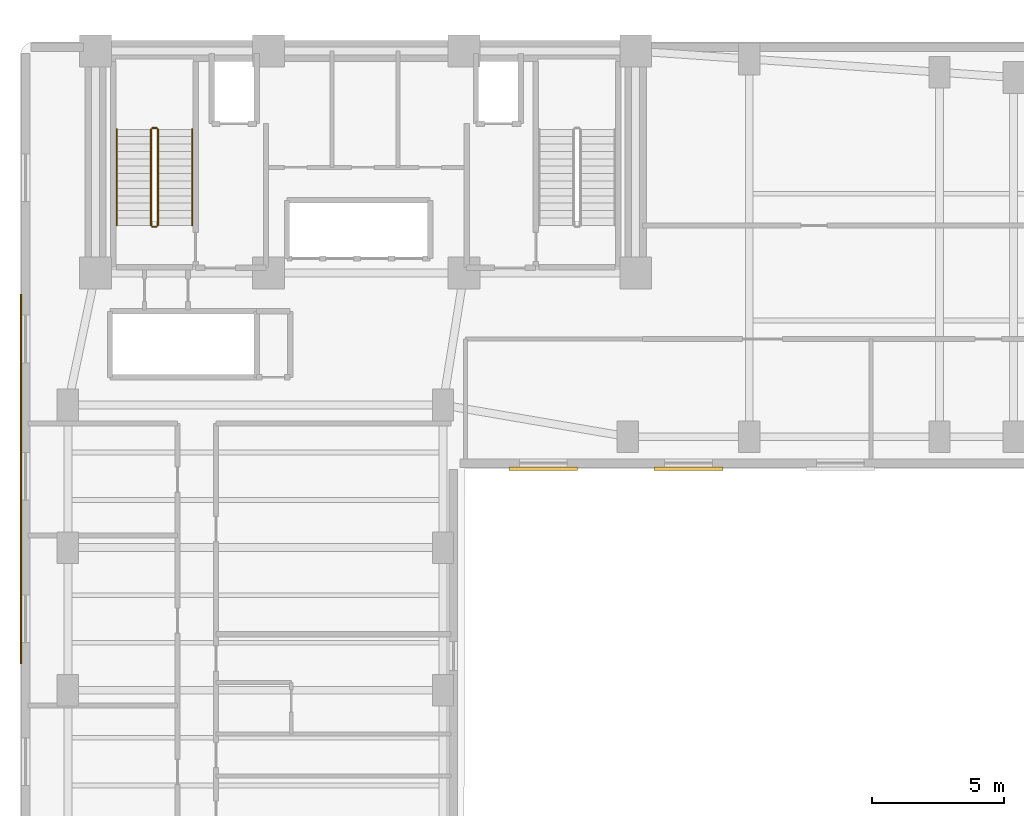
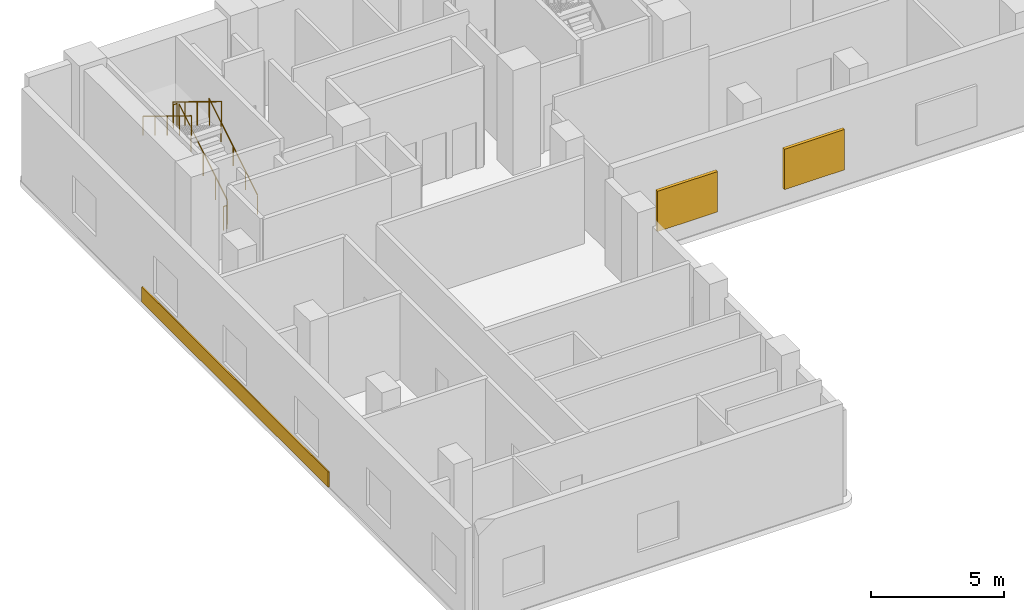
# One storey, part 15 of 17: 6 railings, 2 shading devices, 1 covering.
"""IFC4 building model written with IfcOpenShell, lengths in metres."""

from ifc_helpers import new_model, si_unit, direction, frame, origin, origin_2d, place, context, subcontext, project, spatial, rectangle, circle, extrude, material, layer, layer_set, type_object, element, save


model = new_model("IFC4")

# Units and contexts
model_context = context("Model", 3, precision=1e-05, world=origin(), true_north=direction((0.0, 1.0)))
body_context = subcontext(model_context, "Body", "Model", "MODEL_VIEW")
ifc_project = project(units=[si_unit("LENGTHUNIT", "METRE"), si_unit("AREAUNIT", "SQUARE_METRE"), si_unit("VOLUMEUNIT", "CUBIC_METRE"), si_unit("PLANEANGLEUNIT", "RADIAN"), si_unit("MASSUNIT", "GRAM", prefix="KILO")], contexts=[model_context])

# Site, building, storey
site_placement = place(None, origin())
site = spatial("IfcSite", under=ifc_project, at=site_placement, CompositionType="ELEMENT")
building_placement = place(site_placement, origin())
building = spatial("IfcBuilding", under=site, at=building_placement, Name="Kuzgunbayir Cultural Tower", CompositionType="ELEMENT")
storey_placement = place(building_placement, frame((0.0, 0.0, 102.60009765625)))
storey = spatial("IfcBuildingStorey", under=building, at=storey_placement, Name="L29", CompositionType="ELEMENT", Elevation=102.60009765625)

# Covering
ifc_material_1 = material(Name="Anatolian Cream Limestone", Category="masonry")
ifc_layer_1 = layer(ifc_material_1, 0.06005859375)
ifc_layer_set_1 = layer_set([ifc_layer_1], Name="Anatolian Cream Limestone")
covering_type = type_object("IfcCoveringType", Name="COV-CLAD-LIMESTONE-6", PredefinedType="CLADDING", material=ifc_layer_set_1)
covering_placement = place(storey_placement, frame((3.6201171875, 26.0, 0.0), z_axis=(0.0, 0.0, 1.0), x_axis=(1.0, 0.0, 0.0)))
element("IfcCovering", 1, at=covering_placement, inside=storey, type_object=covering_type, Name="L29 Architectural Spandrel Cladding Band", PredefinedType="CLADDING", context=body_context, shape_type="SweptSolid", body=[
    extrude(rectangle(XDim=0.06005859375, YDim=14.0, at=origin_2d()), origin(), (0.0, 0.0, 1.0), 0.699951171875),
])

# Railings
ifc_material_2 = material(Name="Brushed Stainless Steel", Category="steel")
ifc_layer_2 = layer(ifc_material_2, 0.050048828125)
ifc_layer_set_2 = layer_set([ifc_layer_2], Name="Brushed Stainless Steel")
railing_type_1 = type_object("IfcRailingType", Name="RLG-STAIR-HANDRAIL", PredefinedType="HANDRAIL", material=ifc_layer_set_2)
railing_1_placement = place(storey_placement, frame((10.110107421875, 35.60009765625, 0.17138671875)))
element("IfcRailing", 2, at=railing_1_placement, inside=storey, type_object=railing_type_1, Name="L29 ST-1 stair handrail 1", PredefinedType="HANDRAIL", context=body_context, shape_type="SweptSolid", body=[
    extrude(circle(Radius=0.02392578125, at=origin_2d()), frame((0.0, 0.0, 0.8759765625), z_axis=(0.0, 0.852850264322, 0.5221555579), x_axis=(-1.0, 0.0, 0.0)), (0.0, 0.0, 1.0), 4.267822265625),
    extrude(circle(Radius=0.02099609375, at=origin_2d()), origin(), (0.0, 0.0, 1.0), 0.851806640625),
    extrude(circle(Radius=0.02099609375, at=origin_2d()), frame((0.0, 0.909912109375, 0.55712890625)), (0.0, 0.0, 1.0), 0.851806640625),
    extrude(circle(Radius=0.02099609375, at=origin_2d()), frame((0.0, 1.81982421875, 1.1142578125)), (0.0, 0.0, 1.0), 0.851806640625),
    extrude(circle(Radius=0.02099609375, at=origin_2d()), frame((0.0, 2.72998046875, 1.67138671875)), (0.0, 0.0, 1.0), 0.851806640625),
    extrude(circle(Radius=0.02099609375, at=origin_2d()), frame((0.0, 3.639892578125, 2.228515625)), (0.0, 0.0, 1.0), 0.851806640625),
])
railing_2_placement = place(storey_placement, frame((7.25, 39.239990234375, 2.5712890625)))
element("IfcRailing", 3, at=railing_2_placement, inside=storey, type_object=railing_type_1, Name="L29 ST-1 stair handrail 2", PredefinedType="HANDRAIL", context=body_context, shape_type="SweptSolid", body=[
    extrude(circle(Radius=0.02392578125, at=origin_2d()), frame((0.0, 0.0, 0.8759765625), z_axis=(0.0, -0.852850264322, 0.5221555579), x_axis=(1.0, 0.0, 0.0)), (0.0, 0.0, 1.0), 4.267822265625),
    extrude(circle(Radius=0.02099609375, at=origin_2d()), origin(), (0.0, 0.0, 1.0), 0.851806640625),
    extrude(circle(Radius=0.02099609375, at=origin_2d()), frame((0.0, -0.909912109375, 0.55712890625)), (0.0, 0.0, 1.0), 0.851806640625),
    extrude(circle(Radius=0.02099609375, at=origin_2d()), frame((0.0, -1.81982421875, 1.1142578125)), (0.0, 0.0, 1.0), 0.851806640625),
    extrude(circle(Radius=0.02099609375, at=origin_2d()), frame((0.0, -2.72998046875, 1.67138671875)), (0.0, 0.0, 1.0), 0.851806640625),
    extrude(circle(Radius=0.02099609375, at=origin_2d()), frame((0.0, -3.639892578125, 2.228515625)), (0.0, 0.0, 1.0), 0.851806640625),
])
ifc_material_3 = material(Name="Painted Steel Balustrade", Category="steel")
ifc_layer_3 = layer(ifc_material_3, 0.06005859375)
ifc_layer_set_3 = layer_set([ifc_layer_3], Name="Painted Steel Balustrade")
railing_type_2 = type_object("IfcRailingType", Name="RLG-WELL-GUARD", PredefinedType="GUARDRAIL", material=ifc_layer_set_3)
railing_3_placement = place(storey_placement, frame((8.81005859375, 35.60009765625, 0.17138671875)))
element("IfcRailing", 4, at=railing_3_placement, inside=storey, type_object=railing_type_2, Name="L29 ST-1 stair guard 1", PredefinedType="GUARDRAIL", context=body_context, shape_type="SweptSolid", body=[
    extrude(circle(Radius=0.02392578125, at=origin_2d()), frame((0.0, 0.0, 1.076171875), z_axis=(0.0, 0.852850264322, 0.5221555579), x_axis=(-1.0, 0.0, 0.0)), (0.0, 0.0, 1.0), 4.267822265625),
    extrude(circle(Radius=0.02099609375, at=origin_2d()), origin(), (0.0, 0.0, 1.0), 1.052001953125),
    extrude(circle(Radius=0.02099609375, at=origin_2d()), frame((0.0, 0.909912109375, 0.55712890625)), (0.0, 0.0, 1.0), 1.052001953125),
    extrude(circle(Radius=0.02099609375, at=origin_2d()), frame((0.0, 1.81982421875, 1.1142578125)), (0.0, 0.0, 1.0), 1.052001953125),
    extrude(circle(Radius=0.02099609375, at=origin_2d()), frame((0.0, 2.72998046875, 1.67138671875)), (0.0, 0.0, 1.0), 1.052001953125),
    extrude(circle(Radius=0.02099609375, at=origin_2d()), frame((0.0, 3.639892578125, 2.228515625)), (0.0, 0.0, 1.0), 1.052001953125),
])
railing_4_placement = place(storey_placement, frame((8.760009765625, 39.2900390625, 2.39990234375)))
element("IfcRailing", 5, at=railing_4_placement, inside=storey, type_object=railing_type_2, Name="L29 ST-1 stair guard 2", PredefinedType="GUARDRAIL", context=body_context, shape_type="SweptSolid", body=[
    extrude(circle(Radius=0.02392578125, at=origin_2d()), frame((0.0, 0.0, 1.076171875), z_axis=(-1.0, 0.0, 0.0), x_axis=(0.0, -1.0, 0.0)), (0.0, 0.0, 1.0), 0.159912109375),
    extrude(circle(Radius=0.02099609375, at=origin_2d()), origin(), (0.0, 0.0, 1.0), 1.052001953125),
    extrude(circle(Radius=0.02099609375, at=origin_2d()), frame((-0.159912109375, 0.0, 0.0)), (0.0, 0.0, 1.0), 1.052001953125),
])
railing_5_placement = place(storey_placement, frame((8.550048828125, 39.239990234375, 2.5712890625)))
element("IfcRailing", 6, at=railing_5_placement, inside=storey, type_object=railing_type_2, Name="L29 ST-1 stair guard 3", PredefinedType="GUARDRAIL", context=body_context, shape_type="SweptSolid", body=[
    extrude(circle(Radius=0.02392578125, at=origin_2d()), frame((0.0, 0.0, 1.076171875), z_axis=(0.0, -0.852850264322, 0.5221555579), x_axis=(1.0, 0.0, 0.0)), (0.0, 0.0, 1.0), 4.267822265625),
    extrude(circle(Radius=0.02099609375, at=origin_2d()), origin(), (0.0, 0.0, 1.0), 1.052001953125),
    extrude(circle(Radius=0.02099609375, at=origin_2d()), frame((0.0, -0.909912109375, 0.55712890625)), (0.0, 0.0, 1.0), 1.052001953125),
    extrude(circle(Radius=0.02099609375, at=origin_2d()), frame((0.0, -1.81982421875, 1.1142578125)), (0.0, 0.0, 1.0), 1.052001953125),
    extrude(circle(Radius=0.02099609375, at=origin_2d()), frame((0.0, -2.72998046875, 1.67138671875)), (0.0, 0.0, 1.0), 1.052001953125),
    extrude(circle(Radius=0.02099609375, at=origin_2d()), frame((0.0, -3.639892578125, 2.228515625)), (0.0, 0.0, 1.0), 1.052001953125),
])
railing_6_placement = place(storey_placement, frame((8.760009765625, 35.550048828125, 0.0)))
element("IfcRailing", 7, at=railing_6_placement, inside=storey, type_object=railing_type_2, Name="L29 ST-1 stair guard 4", PredefinedType="GUARDRAIL", context=body_context, shape_type="SweptSolid", body=[
    extrude(circle(Radius=0.02392578125, at=origin_2d()), frame((0.0, 0.0, 1.076171875), z_axis=(-1.0, 0.0, 0.0), x_axis=(0.0, -1.0, 0.0)), (0.0, 0.0, 1.0), 0.159912109375),
    extrude(circle(Radius=0.02099609375, at=origin_2d()), origin(), (0.0, 0.0, 1.0), 1.052001953125),
    extrude(circle(Radius=0.02099609375, at=origin_2d()), frame((-0.159912109375, 0.0, 0.0)), (0.0, 0.0, 1.0), 1.052001953125),
])

# Shading devices
ifc_material_4 = material(Name="Perforated Bronze-Anodised Aluminium", Category="aluminium")
shading_device_type = type_object("IfcShadingDeviceType", Name="SHD-SOLAR-BRONZE", PredefinedType="JALOUSIE", material=ifc_material_4)
for number, where, z_axis, x_axis, name in (
    (8, (23.39990234375, 26.389892578125, 0.794921875), (0.0, 0.0, 1.0), (1.0, 0.0, 0.0), "L29 Solar Screen WBS10"),
    (9, (28.89990234375, 26.389892578125, 0.794921875), (0.0, 0.0, 1.0), (1.0, 0.0, 0.0), "L29 Solar Screen WBS11"),
):
    element("IfcShadingDevice", number, at=place(storey_placement, frame(where, z_axis=z_axis, x_axis=x_axis)), inside=storey, type_object=shading_device_type, Name=name, PredefinedType="JALOUSIE", context=body_context, shape_type="SweptSolid", body=[
        extrude(rectangle(XDim=2.60009765625, YDim=0.139892578125, at=origin_2d()), origin(), (0.0, 0.0, 1.0), 1.85009765625),
    ])

save(model, "model.ifc")
